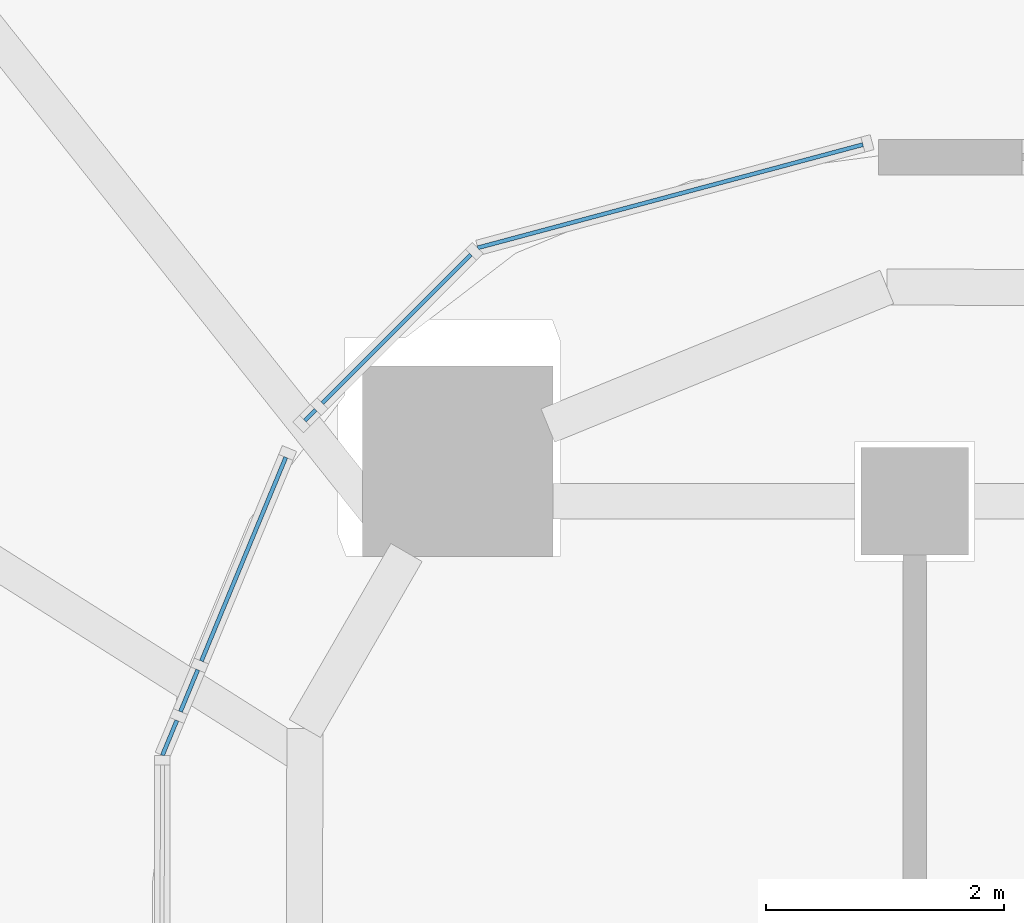
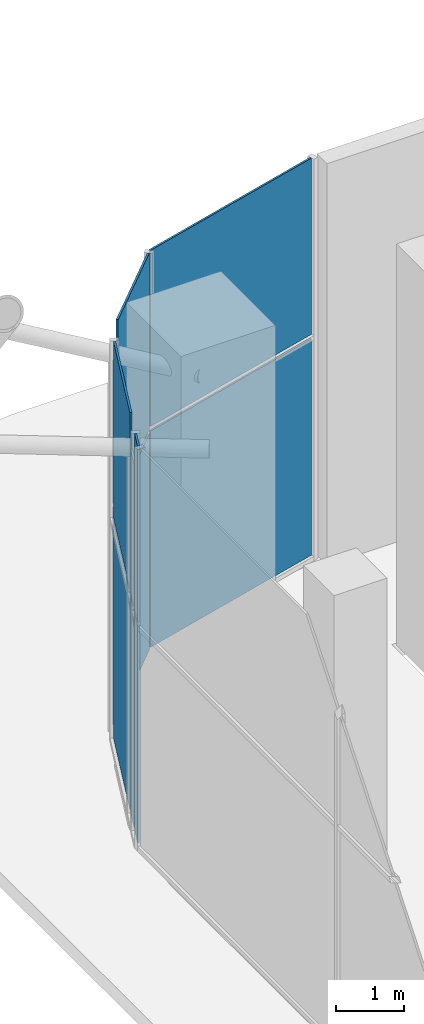
# One storey, part 23 of 34: 12 plates, 6 elements without a shape of their own.
"""IFC4 building model written with IfcOpenShell, lengths in metres."""

from ifc_helpers import new_model, si_unit, direction, frame, origin, origin_2d, place, context, subcontext, project, spatial, rectangle, extrude, material, layer, layer_set, type_object, element, aggregate, save


model = new_model("IFC4")

# Units and contexts
model_context = context("Model", 3, precision=1e-05, world=origin(), true_north=direction((0.0, 1.0)))
body_context = subcontext(model_context, "Body", "Model", "MODEL_VIEW")
ifc_project = project(units=[si_unit("LENGTHUNIT", "METRE"), si_unit("AREAUNIT", "SQUARE_METRE"), si_unit("VOLUMEUNIT", "CUBIC_METRE"), si_unit("PLANEANGLEUNIT", "RADIAN"), si_unit("MASSUNIT", "GRAM", prefix="KILO")], contexts=[model_context])

# Site, building, storey
site_placement = place(None, origin())
site = spatial("IfcSite", under=ifc_project, at=site_placement, CompositionType="ELEMENT")
building_placement = place(site_placement, origin())
building = spatial("IfcBuilding", under=site, at=building_placement, Name="Marenta Gate Hotel Tower", CompositionType="ELEMENT")
storey_placement = place(building_placement, frame((0.0, 0.0, 97.699951171875)))
storey = spatial("IfcBuildingStorey", under=building, at=storey_placement, Name="L21", CompositionType="ELEMENT", Elevation=97.699951171875)

# Curtain wall, plates
ifc_material_1 = material(Name="Tinted insulated glass in bronze anodised frame", Category="glass")
ifc_layer_1 = layer(ifc_material_1, 0.1298828125)
ifc_layer_set_1 = layer_set([ifc_layer_1], Name="Tinted insulated glass in bronze anodised frame")
curtain_wall_type = type_object("IfcCurtainWallType", Name="Sky lobby glazing CW2", PredefinedType="NOTDEFINED", material=ifc_layer_set_1)
curtain_wall_1_placement = place(storey_placement, origin())
curtain_wall_1 = element("IfcCurtainWall", 1, at=curtain_wall_1_placement, inside=storey, type_object=curtain_wall_type, Name="CW2 run G00", PredefinedType="NOTDEFINED")
ifc_material_2 = material(Name="Tinted insulated glass", Category="glass")
ifc_layer_2 = layer(ifc_material_2, 0.033935546875)
ifc_layer_set_2 = layer_set([ifc_layer_2], Name="Tinted insulated glass")
plate_type = type_object("IfcPlateType", Name="Glass panel CW2 34 mm tinted insulated unit", PredefinedType="CURTAIN_PANEL", material=ifc_layer_set_2)
plate_1_placement = place(storey_placement, frame((-23.05224609375, 27.76171875, 0.080078125), z_axis=(0.0, 0.0, 1.0), x_axis=(-0.965934120805, -0.258788087565, 0.0)))
plate_1 = element("IfcPlate", 2, at=plate_1_placement, type_object=plate_type, Name="CW2 panel 1.1", PredefinedType="CURTAIN_PANEL", context=body_context, shape_type="SweptSolid", body=[
    extrude(rectangle(XDim=3.348388671875, YDim=0.033935546875, at=origin_2d()), origin(), (0.0, 0.0, 1.0), 3.8798828125),
])
plate_2_placement = place(storey_placement, frame((-23.05224609375, 27.76171875, 4.0400390625), z_axis=(0.0, 0.0, 1.0), x_axis=(-0.965934120805, -0.258788087565, 0.0)))
plate_2 = element("IfcPlate", 3, at=plate_2_placement, type_object=plate_type, Name="CW2 panel 1.2", PredefinedType="CURTAIN_PANEL", context=body_context, shape_type="SweptSolid", body=[
    extrude(rectangle(XDim=3.348388671875, YDim=0.033935546875, at=origin_2d()), origin(), (0.0, 0.0, 1.0), 3.159912109375),
])
aggregate(curtain_wall_1, [plate_1, plate_2])

curtain_wall_2_placement = place(storey_placement, origin())
curtain_wall_2 = element("IfcCurtainWall", 4, at=curtain_wall_2_placement, inside=storey, type_object=curtain_wall_type, Name="CW2 run G01", PredefinedType="NOTDEFINED")
plate_3_placement = place(storey_placement, frame((-25.35009765625, 26.647705078125, 0.080078125), z_axis=(0.0, 0.0, 1.0), x_axis=(-0.707106781187, -0.707106781187, 0.0)))
plate_3 = element("IfcPlate", 5, at=plate_3_placement, type_object=plate_type, Name="CW2 panel 1.1", PredefinedType="CURTAIN_PANEL", context=body_context, shape_type="SweptSolid", body=[
    extrude(rectangle(XDim=1.765625, YDim=0.033935546875, at=origin_2d()), origin(), (0.0, 0.0, 1.0), 3.8798828125),
])
plate_4_placement = place(storey_placement, frame((-25.35009765625, 26.647705078125, 4.0400390625), z_axis=(0.0, 0.0, 1.0), x_axis=(-0.707106781187, -0.707106781187, 0.0)))
plate_4 = element("IfcPlate", 6, at=plate_4_placement, type_object=plate_type, Name="CW2 panel 1.2", PredefinedType="CURTAIN_PANEL", context=body_context, shape_type="SweptSolid", body=[
    extrude(rectangle(XDim=1.765625, YDim=0.033935546875, at=origin_2d()), origin(), (0.0, 0.0, 1.0), 3.159912109375),
])
aggregate(curtain_wall_2, [plate_3, plate_4])

curtain_wall_3_placement = place(storey_placement, origin())
curtain_wall_3 = element("IfcCurtainWall", 7, at=curtain_wall_3_placement, inside=storey, type_object=curtain_wall_type, Name="CW2 run G02", PredefinedType="NOTDEFINED")
plate_5_placement = place(storey_placement, frame((-26.075439453125, 25.92236328125, 0.080078125), z_axis=(0.0, 0.0, 1.0), x_axis=(-0.707106781187, -0.707106781187, 0.0)))
plate_5 = element("IfcPlate", 8, at=plate_5_placement, type_object=plate_type, Name="CW2 panel 1.1", PredefinedType="CURTAIN_PANEL", context=body_context, shape_type="SweptSolid", body=[
    extrude(rectangle(XDim=0.1259765625, YDim=0.033935546875, at=origin_2d()), origin(), (0.0, 0.0, 1.0), 3.8798828125),
])
plate_6_placement = place(storey_placement, frame((-26.075439453125, 25.92236328125, 4.0400390625), z_axis=(0.0, 0.0, 1.0), x_axis=(-0.707106781187, -0.707106781187, 0.0)))
plate_6 = element("IfcPlate", 9, at=plate_6_placement, type_object=plate_type, Name="CW2 panel 1.2", PredefinedType="CURTAIN_PANEL", context=body_context, shape_type="SweptSolid", body=[
    extrude(rectangle(XDim=0.1259765625, YDim=0.033935546875, at=origin_2d()), origin(), (0.0, 0.0, 1.0), 2.560546875),
])
aggregate(curtain_wall_3, [plate_5, plate_6])

curtain_wall_4_placement = place(storey_placement, origin())
curtain_wall_4 = element("IfcCurtainWall", 10, at=curtain_wall_4_placement, inside=storey, type_object=curtain_wall_type, Name="CW2 run G03", PredefinedType="NOTDEFINED")
plate_7_placement = place(storey_placement, frame((-26.635498046875, 24.713623046875, 0.080078125), z_axis=(0.0, 0.0, 1.0), x_axis=(-0.382673409011, -0.923883684257, 0.0)))
plate_7 = element("IfcPlate", 11, at=plate_7_placement, type_object=plate_type, Name="CW2 panel 1.1", PredefinedType="CURTAIN_PANEL", context=body_context, shape_type="SweptSolid", body=[
    extrude(rectangle(XDim=1.851318359375, YDim=0.033935546875, at=origin_2d()), origin(), (0.0, 0.0, 1.0), 3.8798828125),
])
plate_8_placement = place(storey_placement, frame((-26.635498046875, 24.713623046875, 4.0400390625), z_axis=(0.0, 0.0, 1.0), x_axis=(-0.382673409011, -0.923883684257, 0.0)))
plate_8 = element("IfcPlate", 12, at=plate_8_placement, type_object=plate_type, Name="CW2 panel 1.2", PredefinedType="CURTAIN_PANEL", context=body_context, shape_type="SweptSolid", body=[
    extrude(rectangle(XDim=1.851318359375, YDim=0.033935546875, at=origin_2d()), origin(), (0.0, 0.0, 1.0), 3.159912109375),
])
aggregate(curtain_wall_4, [plate_7, plate_8])

curtain_wall_5_placement = place(storey_placement, origin())
curtain_wall_5 = element("IfcCurtainWall", 13, at=curtain_wall_5_placement, inside=storey, type_object=curtain_wall_type, Name="CW2 run G04", PredefinedType="NOTDEFINED")
plate_9_placement = place(storey_placement, frame((-27.093017578125, 23.609130859375, 0.080078125), z_axis=(0.0, 0.0, 1.0), x_axis=(-0.382652794746, -0.923892222433, 0.0)))
plate_9 = element("IfcPlate", 14, at=plate_9_placement, type_object=plate_type, Name="CW2 panel 1.1", PredefinedType="CURTAIN_PANEL", context=body_context, shape_type="SweptSolid", body=[
    extrude(rectangle(XDim=0.379638671875, YDim=0.033935546875, at=origin_2d()), origin(), (0.0, 0.0, 1.0), 3.8798828125),
])
plate_10_placement = place(storey_placement, frame((-27.093017578125, 23.609130859375, 4.0400390625), z_axis=(0.0, 0.0, 1.0), x_axis=(-0.382652794746, -0.923892222433, 0.0)))
plate_10 = element("IfcPlate", 15, at=plate_10_placement, type_object=plate_type, Name="CW2 panel 1.2", PredefinedType="CURTAIN_PANEL", context=body_context, shape_type="SweptSolid", body=[
    extrude(rectangle(XDim=0.379638671875, YDim=0.033935546875, at=origin_2d()), origin(), (0.0, 0.0, 1.0), 2.560546875),
])
aggregate(curtain_wall_5, [plate_9, plate_10])

curtain_wall_6_placement = place(storey_placement, origin())
curtain_wall_6 = element("IfcCurtainWall", 16, at=curtain_wall_6_placement, inside=storey, type_object=curtain_wall_type, Name="CW2 run G05", PredefinedType="NOTDEFINED")
plate_11_placement = place(storey_placement, frame((-27.256591796875, 23.21337890625, 0.080078125), z_axis=(0.0, 0.0, 1.0), x_axis=(-0.382663484973, -0.923887794739, 0.0)))
plate_11 = element("IfcPlate", 17, at=plate_11_placement, type_object=plate_type, Name="CW2 panel 1.1", PredefinedType="CURTAIN_PANEL", context=body_context, shape_type="SweptSolid", body=[
    extrude(rectangle(XDim=0.316650390625, YDim=0.033935546875, at=origin_2d()), origin(), (0.0, 0.0, 1.0), 3.8798828125),
])
plate_12_placement = place(storey_placement, frame((-27.256591796875, 23.21337890625, 4.0400390625), z_axis=(0.0, 0.0, 1.0), x_axis=(-0.382663484973, -0.923887794739, 0.0)))
plate_12 = element("IfcPlate", 18, at=plate_12_placement, type_object=plate_type, Name="CW2 panel 1.2", PredefinedType="CURTAIN_PANEL", context=body_context, shape_type="SweptSolid", body=[
    extrude(rectangle(XDim=0.316650390625, YDim=0.033935546875, at=origin_2d()), origin(), (0.0, 0.0, 1.0), 3.159912109375),
])
aggregate(curtain_wall_6, [plate_11, plate_12])

save(model, "model.ifc")
